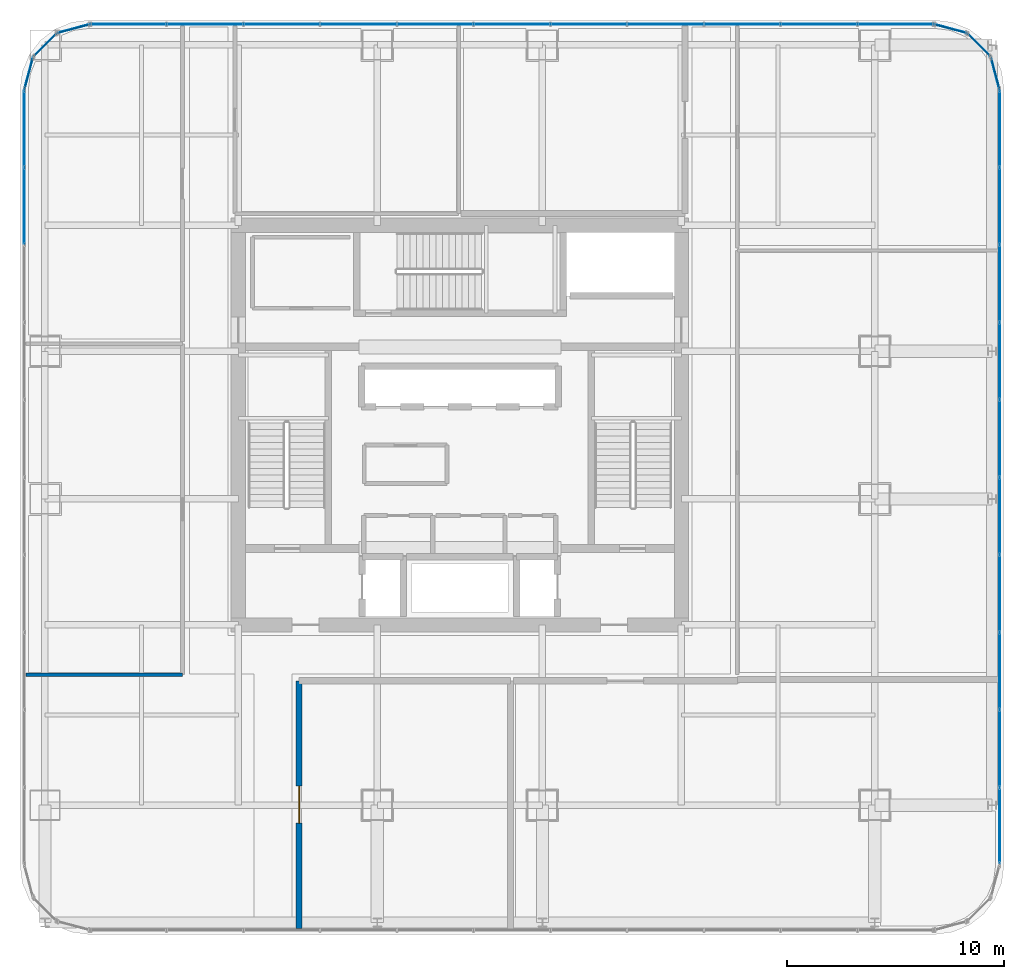
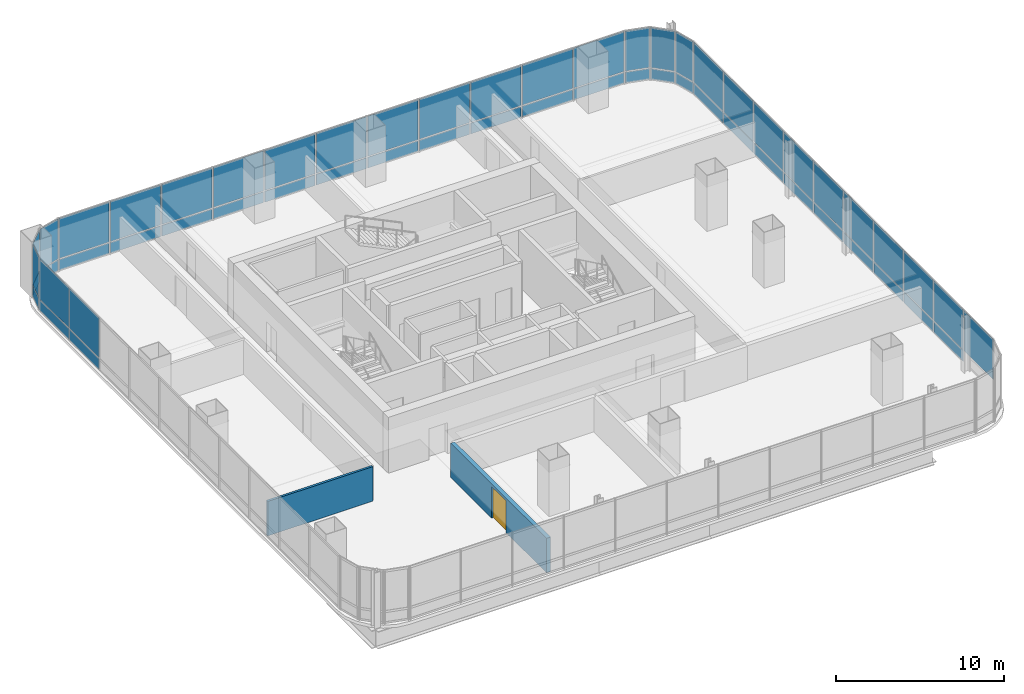
# One storey, part 28 of 35: 57 plates, 2 walls, 1 door, 1 opening, 9 elements without a shape of their own.
"""IFC4 building model written with IfcOpenShell, lengths in metres."""

from ifc_helpers import new_model, si_unit, direction, frame, frame_2d, origin, origin_2d, place, context, subcontext, project, spatial, rectangle, extrude, material, layer, layer_set, type_object, element, fill, aggregate, save


model = new_model("IFC4")

# Units and contexts
model_context = context("Model", 3, precision=1e-05, world=origin(), true_north=direction((0.0, 1.0)))
body_context = subcontext(model_context, "Body", "Model", "MODEL_VIEW")
ifc_project = project(units=[si_unit("LENGTHUNIT", "METRE"), si_unit("AREAUNIT", "SQUARE_METRE"), si_unit("VOLUMEUNIT", "CUBIC_METRE"), si_unit("PLANEANGLEUNIT", "RADIAN"), si_unit("MASSUNIT", "GRAM", prefix="KILO")], contexts=[model_context])

# Site, building, storey
site_placement = place(None, origin())
site = spatial("IfcSite", under=ifc_project, at=site_placement, CompositionType="ELEMENT")
building_placement = place(site_placement, origin())
building = spatial("IfcBuilding", under=site, at=building_placement, Name="Punatoya Terracotta Tower", CompositionType="ELEMENT")
storey_placement = place(building_placement, frame((0.0, 0.0, 216.75)))
storey = spatial("IfcBuildingStorey", under=building, at=storey_placement, Name="L51", CompositionType="ELEMENT", Elevation=216.75)

# Curtain wall, plates
ifc_material_1 = material(Name="Aluminium 6063-T6 + Double Low-E Glass", Category="aluminium")
curtain_wall_type = type_object("IfcCurtainWallType", Name="CW-M2", PredefinedType="NOTDEFINED", material=ifc_material_1)
curtain_wall_1_placement = place(storey_placement, origin())
curtain_wall_1 = element("IfcCurtainWall", 1, at=curtain_wall_1_placement, inside=storey, type_object=curtain_wall_type, Name="L51 Curtain Wall CW-L51-E05-1", PredefinedType="NOTDEFINED")
ifc_material_2 = material(Name="Double Low-E Acoustic Vision Glass", Category="glass")
ifc_layer_1 = layer(ifc_material_2, 0.031982421875)
ifc_layer_set_1 = layer_set([ifc_layer_1], Name="Double Low-E Acoustic Vision Glass")
plate_type_1 = type_object("IfcPlateType", Name="PLT-GLZ-32", PredefinedType="CURTAIN_PANEL", material=ifc_layer_set_1)
plate_1_placement = place(storey_placement, frame((24.85009765625, -18.453125, 0.89013671875), z_axis=(0.0, 0.0, 1.0), x_axis=(0.0, 1.0, 0.0)))
plate_1 = element("IfcPlate", 2, at=plate_1_placement, type_object=plate_type_1, Name="CW-L51-E05-1 Vision Glass Panel 1", PredefinedType="CURTAIN_PANEL", context=body_context, shape_type="SweptSolid", body=[
    extrude(rectangle(XDim=3.482421875, YDim=0.031982421875, at=origin_2d()), origin(), (0.0, 0.0, 1.0), 2.89990234375),
])
plate_2_placement = place(storey_placement, frame((24.85009765625, -14.8857421875, 0.89013671875), z_axis=(0.0, 0.0, 1.0), x_axis=(0.0, 1.0, 0.0)))
plate_2 = element("IfcPlate", 3, at=plate_2_placement, type_object=plate_type_1, Name="CW-L51-E05-1 Vision Glass Panel 2", PredefinedType="CURTAIN_PANEL", context=body_context, shape_type="SweptSolid", body=[
    extrude(rectangle(XDim=3.482421875, YDim=0.031982421875, at=origin_2d()), origin(), (0.0, 0.0, 1.0), 2.89990234375),
])
plate_3_placement = place(storey_placement, frame((24.85009765625, -11.318359375, 0.89013671875), z_axis=(0.0, 0.0, 1.0), x_axis=(0.0, 1.0, 0.0)))
plate_3 = element("IfcPlate", 4, at=plate_3_placement, type_object=plate_type_1, Name="CW-L51-E05-1 Vision Glass Panel 3", PredefinedType="CURTAIN_PANEL", context=body_context, shape_type="SweptSolid", body=[
    extrude(rectangle(XDim=3.482421875, YDim=0.031982421875, at=origin_2d()), origin(), (0.0, 0.0, 1.0), 2.89990234375),
])
plate_4_placement = place(storey_placement, frame((24.85009765625, -7.751220703125, 0.89013671875), z_axis=(0.0, 0.0, 1.0), x_axis=(0.0, 1.0, 0.0)))
plate_4 = element("IfcPlate", 5, at=plate_4_placement, type_object=plate_type_1, Name="CW-L51-E05-1 Vision Glass Panel 4", PredefinedType="CURTAIN_PANEL", context=body_context, shape_type="SweptSolid", body=[
    extrude(rectangle(XDim=3.482421875, YDim=0.031982421875, at=origin_2d()), origin(), (0.0, 0.0, 1.0), 2.89990234375),
])
plate_5_placement = place(storey_placement, frame((24.85009765625, -4.18359375, 0.89013671875), z_axis=(0.0, 0.0, 1.0), x_axis=(0.0, 1.0, 0.0)))
plate_5 = element("IfcPlate", 6, at=plate_5_placement, type_object=plate_type_1, Name="CW-L51-E05-1 Vision Glass Panel 5", PredefinedType="CURTAIN_PANEL", context=body_context, shape_type="SweptSolid", body=[
    extrude(rectangle(XDim=3.482421875, YDim=0.031982421875, at=origin_2d()), origin(), (0.0, 0.0, 1.0), 2.89990234375),
])
plate_6_placement = place(storey_placement, frame((24.85009765625, -0.6162109375, 0.89013671875), z_axis=(0.0, 0.0, 1.0), x_axis=(0.0, 1.0, 0.0)))
plate_6 = element("IfcPlate", 7, at=plate_6_placement, type_object=plate_type_1, Name="CW-L51-E05-1 Vision Glass Panel 6", PredefinedType="CURTAIN_PANEL", context=body_context, shape_type="SweptSolid", body=[
    extrude(rectangle(XDim=3.482421875, YDim=0.031982421875, at=origin_2d()), origin(), (0.0, 0.0, 1.0), 2.89990234375),
])
plate_7_placement = place(storey_placement, frame((24.85009765625, 2.951171875, 0.89013671875), z_axis=(0.0, 0.0, 1.0), x_axis=(0.0, 1.0, 0.0)))
plate_7 = element("IfcPlate", 8, at=plate_7_placement, type_object=plate_type_1, Name="CW-L51-E05-1 Vision Glass Panel 7", PredefinedType="CURTAIN_PANEL", context=body_context, shape_type="SweptSolid", body=[
    extrude(rectangle(XDim=3.482421875, YDim=0.031982421875, at=origin_2d()), origin(), (0.0, 0.0, 1.0), 2.89990234375),
])
plate_8_placement = place(storey_placement, frame((24.85009765625, 6.518310546875, 0.89013671875), z_axis=(0.0, 0.0, 1.0), x_axis=(0.0, 1.0, 0.0)))
plate_8 = element("IfcPlate", 9, at=plate_8_placement, type_object=plate_type_1, Name="CW-L51-E05-1 Vision Glass Panel 8", PredefinedType="CURTAIN_PANEL", context=body_context, shape_type="SweptSolid", body=[
    extrude(rectangle(XDim=3.482421875, YDim=0.031982421875, at=origin_2d()), origin(), (0.0, 0.0, 1.0), 2.89990234375),
])
plate_9_placement = place(storey_placement, frame((24.85009765625, 10.085693359375, 0.89013671875), z_axis=(0.0, 0.0, 1.0), x_axis=(0.0, 1.0, 0.0)))
plate_9 = element("IfcPlate", 10, at=plate_9_placement, type_object=plate_type_1, Name="CW-L51-E05-1 Vision Glass Panel 9", PredefinedType="CURTAIN_PANEL", context=body_context, shape_type="SweptSolid", body=[
    extrude(rectangle(XDim=3.482421875, YDim=0.031982421875, at=origin_2d()), origin(), (0.0, 0.0, 1.0), 2.89990234375),
])
plate_10_placement = place(storey_placement, frame((24.85009765625, 13.6533203125, 0.89013671875), z_axis=(0.0, 0.0, 1.0), x_axis=(0.0, 1.0, 0.0)))
plate_10 = element("IfcPlate", 11, at=plate_10_placement, type_object=plate_type_1, Name="CW-L51-E05-1 Vision Glass Panel 10", PredefinedType="CURTAIN_PANEL", context=body_context, shape_type="SweptSolid", body=[
    extrude(rectangle(XDim=3.482421875, YDim=0.031982421875, at=origin_2d()), origin(), (0.0, 0.0, 1.0), 2.89990234375),
])

# Curtain wall, plate
curtain_wall_2_placement = place(storey_placement, origin())
curtain_wall_2 = element("IfcCurtainWall", 12, at=curtain_wall_2_placement, inside=storey, type_object=curtain_wall_type, Name="L51 Curtain Wall CW-L51-CRN06", PredefinedType="NOTDEFINED")
plate_11_placement = place(storey_placement, frame((24.648193359375, 16.193115234375, 0.89013671875), z_axis=(0.0, 0.0, 1.0), x_axis=(-0.257741620719, 0.966213877436, 0.0)))
plate_11 = element("IfcPlate", 13, at=plate_11_placement, type_object=plate_type_1, Name="CW-L51-CRN06 Vision Glass Panel 1", PredefinedType="CURTAIN_PANEL", context=body_context, shape_type="SweptSolid", body=[
    extrude(rectangle(XDim=1.47998046875, YDim=0.031982421875, at=origin_2d()), origin(), (0.0, 0.0, 1.0), 2.89990234375),
])

curtain_wall_3_placement = place(storey_placement, origin())
curtain_wall_3 = element("IfcCurtainWall", 14, at=curtain_wall_3_placement, inside=storey, type_object=curtain_wall_type, Name="L51 Curtain Wall CW-L51-CRN07", PredefinedType="NOTDEFINED")
plate_12_placement = place(storey_placement, frame((23.89794921875, 17.497802734375, 0.89013671875), z_axis=(0.0, 0.0, 1.0), x_axis=(-0.707106781187, 0.707106781187, 0.0)))
plate_12 = element("IfcPlate", 15, at=plate_12_placement, type_object=plate_type_1, Name="CW-L51-CRN07 Vision Glass Panel 1", PredefinedType="CURTAIN_PANEL", context=body_context, shape_type="SweptSolid", body=[
    extrude(rectangle(XDim=1.467041015625, YDim=0.031982421875, at=origin_2d()), origin(), (0.0, 0.0, 1.0), 2.89990234375),
])

curtain_wall_4_placement = place(storey_placement, origin())
curtain_wall_4 = element("IfcCurtainWall", 16, at=curtain_wall_4_placement, inside=storey, type_object=curtain_wall_type, Name="L51 Curtain Wall CW-L51-CRN08", PredefinedType="NOTDEFINED")
plate_13_placement = place(storey_placement, frame((22.593017578125, 18.248291015625, 0.89013671875), z_axis=(0.0, 0.0, 1.0), x_axis=(-0.966213877436, 0.257741620719, 0.0)))
plate_13 = element("IfcPlate", 17, at=plate_13_placement, type_object=plate_type_1, Name="CW-L51-CRN08 Vision Glass Panel 1", PredefinedType="CURTAIN_PANEL", context=body_context, shape_type="SweptSolid", body=[
    extrude(rectangle(XDim=1.47998046875, YDim=0.031982421875, at=origin_2d()), origin(), (0.0, 0.0, 1.0), 2.89990234375),
])

# Curtain wall, plates
curtain_wall_5_placement = place(storey_placement, origin())
curtain_wall_5 = element("IfcCurtainWall", 18, at=curtain_wall_5_placement, inside=storey, type_object=curtain_wall_type, Name="L51 Curtain Wall CW-L51-N09-1", PredefinedType="NOTDEFINED")
plate_14_placement = place(storey_placement, frame((20.06982421875, 18.449951171875, 0.89013671875), z_axis=(0.0, 0.0, 1.0), x_axis=(-1.0, 0.0, 0.0)))
plate_14 = element("IfcPlate", 19, at=plate_14_placement, type_object=plate_type_1, Name="CW-L51-N09-1 Vision Glass Panel 1", PredefinedType="CURTAIN_PANEL", context=body_context, shape_type="SweptSolid", body=[
    extrude(rectangle(XDim=3.448974609375, YDim=0.031982421875, at=origin_2d()), origin(), (0.0, 0.0, 1.0), 2.89990234375),
])
plate_15_placement = place(storey_placement, frame((16.535888671875, 18.449951171875, 0.89013671875), z_axis=(0.0, 0.0, 1.0), x_axis=(-1.0, 0.0, 0.0)))
plate_15 = element("IfcPlate", 20, at=plate_15_placement, type_object=plate_type_1, Name="CW-L51-N09-1 Vision Glass Panel 2", PredefinedType="CURTAIN_PANEL", context=body_context, shape_type="SweptSolid", body=[
    extrude(rectangle(XDim=3.448974609375, YDim=0.031982421875, at=origin_2d()), origin(), (0.0, 0.0, 1.0), 2.89990234375),
])
plate_16_placement = place(storey_placement, frame((13.001953125, 18.449951171875, 0.89013671875), z_axis=(0.0, 0.0, 1.0), x_axis=(-1.0, 0.0, 0.0)))
plate_16 = element("IfcPlate", 21, at=plate_16_placement, type_object=plate_type_1, Name="CW-L51-N09-1 Vision Glass Panel 3", PredefinedType="CURTAIN_PANEL", context=body_context, shape_type="SweptSolid", body=[
    extrude(rectangle(XDim=3.448974609375, YDim=0.031982421875, at=origin_2d()), origin(), (0.0, 0.0, 1.0), 2.89990234375),
])
plate_17_placement = place(storey_placement, frame((9.468017578125, 18.449951171875, 0.89013671875), z_axis=(0.0, 0.0, 1.0), x_axis=(-1.0, 0.0, 0.0)))
plate_17 = element("IfcPlate", 22, at=plate_17_placement, type_object=plate_type_1, Name="CW-L51-N09-1 Vision Glass Panel 4", PredefinedType="CURTAIN_PANEL", context=body_context, shape_type="SweptSolid", body=[
    extrude(rectangle(XDim=3.448974609375, YDim=0.031982421875, at=origin_2d()), origin(), (0.0, 0.0, 1.0), 2.89990234375),
])
plate_18_placement = place(storey_placement, frame((5.93408203125, 18.449951171875, 0.89013671875), z_axis=(0.0, 0.0, 1.0), x_axis=(-1.0, 0.0, 0.0)))
plate_18 = element("IfcPlate", 23, at=plate_18_placement, type_object=plate_type_1, Name="CW-L51-N09-1 Vision Glass Panel 5", PredefinedType="CURTAIN_PANEL", context=body_context, shape_type="SweptSolid", body=[
    extrude(rectangle(XDim=3.448974609375, YDim=0.031982421875, at=origin_2d()), origin(), (0.0, 0.0, 1.0), 2.89990234375),
])
plate_19_placement = place(storey_placement, frame((2.39990234375, 18.449951171875, 0.89013671875), z_axis=(0.0, 0.0, 1.0), x_axis=(-1.0, 0.0, 0.0)))
plate_19 = element("IfcPlate", 24, at=plate_19_placement, type_object=plate_type_1, Name="CW-L51-N09-1 Vision Glass Panel 6", PredefinedType="CURTAIN_PANEL", context=body_context, shape_type="SweptSolid", body=[
    extrude(rectangle(XDim=3.448974609375, YDim=0.031982421875, at=origin_2d()), origin(), (0.0, 0.0, 1.0), 2.89990234375),
])
plate_20_placement = place(storey_placement, frame((-1.134033203125, 18.449951171875, 0.89013671875), z_axis=(0.0, 0.0, 1.0), x_axis=(-1.0, 0.0, 0.0)))
plate_20 = element("IfcPlate", 25, at=plate_20_placement, type_object=plate_type_1, Name="CW-L51-N09-1 Vision Glass Panel 7", PredefinedType="CURTAIN_PANEL", context=body_context, shape_type="SweptSolid", body=[
    extrude(rectangle(XDim=3.448974609375, YDim=0.031982421875, at=origin_2d()), origin(), (0.0, 0.0, 1.0), 2.89990234375),
])
plate_21_placement = place(storey_placement, frame((-4.66796875, 18.449951171875, 0.89013671875), z_axis=(0.0, 0.0, 1.0), x_axis=(-1.0, 0.0, 0.0)))
plate_21 = element("IfcPlate", 26, at=plate_21_placement, type_object=plate_type_1, Name="CW-L51-N09-1 Vision Glass Panel 8", PredefinedType="CURTAIN_PANEL", context=body_context, shape_type="SweptSolid", body=[
    extrude(rectangle(XDim=3.448974609375, YDim=0.031982421875, at=origin_2d()), origin(), (0.0, 0.0, 1.0), 2.89990234375),
])
plate_22_placement = place(storey_placement, frame((-8.201904296875, 18.449951171875, 0.89013671875), z_axis=(0.0, 0.0, 1.0), x_axis=(-1.0, 0.0, 0.0)))
plate_22 = element("IfcPlate", 27, at=plate_22_placement, type_object=plate_type_1, Name="CW-L51-N09-1 Vision Glass Panel 9", PredefinedType="CURTAIN_PANEL", context=body_context, shape_type="SweptSolid", body=[
    extrude(rectangle(XDim=3.448974609375, YDim=0.031982421875, at=origin_2d()), origin(), (0.0, 0.0, 1.0), 2.89990234375),
])
plate_23_placement = place(storey_placement, frame((-11.73583984375, 18.449951171875, 0.89013671875), z_axis=(0.0, 0.0, 1.0), x_axis=(-1.0, 0.0, 0.0)))
plate_23 = element("IfcPlate", 28, at=plate_23_placement, type_object=plate_type_1, Name="CW-L51-N09-1 Vision Glass Panel 10", PredefinedType="CURTAIN_PANEL", context=body_context, shape_type="SweptSolid", body=[
    extrude(rectangle(XDim=3.448974609375, YDim=0.031982421875, at=origin_2d()), origin(), (0.0, 0.0, 1.0), 2.89990234375),
])
plate_24_placement = place(storey_placement, frame((-15.27001953125, 18.449951171875, 0.89013671875), z_axis=(0.0, 0.0, 1.0), x_axis=(-1.0, 0.0, 0.0)))
plate_24 = element("IfcPlate", 29, at=plate_24_placement, type_object=plate_type_1, Name="CW-L51-N09-1 Vision Glass Panel 11", PredefinedType="CURTAIN_PANEL", context=body_context, shape_type="SweptSolid", body=[
    extrude(rectangle(XDim=3.448974609375, YDim=0.031982421875, at=origin_2d()), origin(), (0.0, 0.0, 1.0), 2.89990234375),
])

# Curtain wall, plate
curtain_wall_6_placement = place(storey_placement, origin())
curtain_wall_6 = element("IfcCurtainWall", 30, at=curtain_wall_6_placement, inside=storey, type_object=curtain_wall_type, Name="L51 Curtain Wall CW-L51-CRN10", PredefinedType="NOTDEFINED")
plate_25_placement = place(storey_placement, frame((-17.79296875, 18.248291015625, 0.89013671875), z_axis=(0.0, 0.0, 1.0), x_axis=(-0.966213877436, -0.257741620719, 0.0)))
plate_25 = element("IfcPlate", 31, at=plate_25_placement, type_object=plate_type_1, Name="CW-L51-CRN10 Vision Glass Panel 1", PredefinedType="CURTAIN_PANEL", context=body_context, shape_type="SweptSolid", body=[
    extrude(rectangle(XDim=1.47998046875, YDim=0.031982421875, at=origin_2d()), origin(), (0.0, 0.0, 1.0), 2.89990234375),
])

curtain_wall_7_placement = place(storey_placement, origin())
curtain_wall_7 = element("IfcCurtainWall", 32, at=curtain_wall_7_placement, inside=storey, type_object=curtain_wall_type, Name="L51 Curtain Wall CW-L51-CRN11", PredefinedType="NOTDEFINED")
plate_26_placement = place(storey_placement, frame((-19.097900390625, 17.497802734375, 0.89013671875), z_axis=(0.0, 0.0, 1.0), x_axis=(-0.707106781187, -0.707106781187, 0.0)))
plate_26 = element("IfcPlate", 33, at=plate_26_placement, type_object=plate_type_1, Name="CW-L51-CRN11 Vision Glass Panel 1", PredefinedType="CURTAIN_PANEL", context=body_context, shape_type="SweptSolid", body=[
    extrude(rectangle(XDim=1.467041015625, YDim=0.031982421875, at=origin_2d()), origin(), (0.0, 0.0, 1.0), 2.89990234375),
])

curtain_wall_8_placement = place(storey_placement, origin())
curtain_wall_8 = element("IfcCurtainWall", 34, at=curtain_wall_8_placement, inside=storey, type_object=curtain_wall_type, Name="L51 Curtain Wall CW-L51-CRN12", PredefinedType="NOTDEFINED")
plate_27_placement = place(storey_placement, frame((-19.848388671875, 16.193115234375, 0.89013671875), z_axis=(0.0, 0.0, 1.0), x_axis=(-0.257741620719, -0.966213877436, 0.0)))
plate_27 = element("IfcPlate", 35, at=plate_27_placement, type_object=plate_type_1, Name="CW-L51-CRN12 Vision Glass Panel 1", PredefinedType="CURTAIN_PANEL", context=body_context, shape_type="SweptSolid", body=[
    extrude(rectangle(XDim=1.47998046875, YDim=0.031982421875, at=origin_2d()), origin(), (0.0, 0.0, 1.0), 2.89990234375),
])

# Curtain wall, plates
curtain_wall_9_placement = place(storey_placement, origin())
curtain_wall_9 = element("IfcCurtainWall", 36, at=curtain_wall_9_placement, inside=storey, type_object=curtain_wall_type, Name="L51 Curtain Wall CW-L51-W13-1", PredefinedType="NOTDEFINED")
plate_28_placement = place(storey_placement, frame((-20.050048828125, 13.6533203125, 0.89013671875), z_axis=(0.0, 0.0, 1.0), x_axis=(0.0, -1.0, 0.0)))
plate_28 = element("IfcPlate", 37, at=plate_28_placement, type_object=plate_type_1, Name="CW-L51-W13-1 Vision Glass Panel 1", PredefinedType="CURTAIN_PANEL", context=body_context, shape_type="SweptSolid", body=[
    extrude(rectangle(XDim=3.482421875, YDim=0.031982421875, at=origin_2d()), origin(), (0.0, 0.0, 1.0), 2.89990234375),
])
plate_29_placement = place(storey_placement, frame((-20.050048828125, 10.085693359375, 0.89013671875), z_axis=(0.0, 0.0, 1.0), x_axis=(0.0, -1.0, 0.0)))
plate_29 = element("IfcPlate", 38, at=plate_29_placement, type_object=plate_type_1, Name="CW-L51-W13-1 Vision Glass Panel 2", PredefinedType="CURTAIN_PANEL", context=body_context, shape_type="SweptSolid", body=[
    extrude(rectangle(XDim=3.482421875, YDim=0.031982421875, at=origin_2d()), origin(), (0.0, 0.0, 1.0), 2.89990234375),
])

# Plate
ifc_material_3 = material(Name="Insulated Terracotta-Backed Spandrel Panel", Category="masonry")
ifc_layer_2 = layer(ifc_material_3, 0.044921875)
ifc_layer_set_2 = layer_set([ifc_layer_2], Name="Insulated Terracotta-Backed Spandrel Panel")
plate_type_2 = type_object("IfcPlateType", Name="PLT-SPN-45", PredefinedType="CURTAIN_PANEL", material=ifc_layer_set_2)
plate_30_placement = place(storey_placement, frame((24.85009765625, -14.8857421875, 0.0400390625), z_axis=(0.0, 0.0, 1.0), x_axis=(0.0, 1.0, 0.0)))
plate_30 = element("IfcPlate", 39, at=plate_30_placement, type_object=plate_type_2, Name="CW-L51-E05-1 Terracotta Spandrel Panel 2", PredefinedType="CURTAIN_PANEL", context=body_context, shape_type="SweptSolid", body=[
    extrude(rectangle(XDim=3.482421875, YDim=0.044921875, at=origin_2d()), origin(), (0.0, 0.0, 1.0), 0.77490234375),
])

plate_31_placement = place(storey_placement, frame((24.85009765625, -11.318359375, 0.0400390625), z_axis=(0.0, 0.0, 1.0), x_axis=(0.0, 1.0, 0.0)))
plate_31 = element("IfcPlate", 40, at=plate_31_placement, type_object=plate_type_2, Name="CW-L51-E05-1 Terracotta Spandrel Panel 3", PredefinedType="CURTAIN_PANEL", context=body_context, shape_type="SweptSolid", body=[
    extrude(rectangle(XDim=3.482421875, YDim=0.044921875, at=origin_2d()), origin(), (0.0, 0.0, 1.0), 0.77490234375),
])

plate_32_placement = place(storey_placement, frame((24.85009765625, -7.751220703125, 0.0400390625), z_axis=(0.0, 0.0, 1.0), x_axis=(0.0, 1.0, 0.0)))
plate_32 = element("IfcPlate", 41, at=plate_32_placement, type_object=plate_type_2, Name="CW-L51-E05-1 Terracotta Spandrel Panel 4", PredefinedType="CURTAIN_PANEL", context=body_context, shape_type="SweptSolid", body=[
    extrude(rectangle(XDim=3.482421875, YDim=0.044921875, at=origin_2d()), origin(), (0.0, 0.0, 1.0), 0.77490234375),
])

plate_33_placement = place(storey_placement, frame((24.85009765625, -4.18359375, 0.0400390625), z_axis=(0.0, 0.0, 1.0), x_axis=(0.0, 1.0, 0.0)))
plate_33 = element("IfcPlate", 42, at=plate_33_placement, type_object=plate_type_2, Name="CW-L51-E05-1 Terracotta Spandrel Panel 5", PredefinedType="CURTAIN_PANEL", context=body_context, shape_type="SweptSolid", body=[
    extrude(rectangle(XDim=3.482421875, YDim=0.044921875, at=origin_2d()), origin(), (0.0, 0.0, 1.0), 0.77490234375),
])

plate_34_placement = place(storey_placement, frame((24.85009765625, -0.6162109375, 0.0400390625), z_axis=(0.0, 0.0, 1.0), x_axis=(0.0, 1.0, 0.0)))
plate_34 = element("IfcPlate", 43, at=plate_34_placement, type_object=plate_type_2, Name="CW-L51-E05-1 Terracotta Spandrel Panel 6", PredefinedType="CURTAIN_PANEL", context=body_context, shape_type="SweptSolid", body=[
    extrude(rectangle(XDim=3.482421875, YDim=0.044921875, at=origin_2d()), origin(), (0.0, 0.0, 1.0), 0.77490234375),
])

plate_35_placement = place(storey_placement, frame((24.85009765625, 2.951171875, 0.0400390625), z_axis=(0.0, 0.0, 1.0), x_axis=(0.0, 1.0, 0.0)))
plate_35 = element("IfcPlate", 44, at=plate_35_placement, type_object=plate_type_2, Name="CW-L51-E05-1 Terracotta Spandrel Panel 7", PredefinedType="CURTAIN_PANEL", context=body_context, shape_type="SweptSolid", body=[
    extrude(rectangle(XDim=3.482421875, YDim=0.044921875, at=origin_2d()), origin(), (0.0, 0.0, 1.0), 0.77490234375),
])

plate_36_placement = place(storey_placement, frame((24.85009765625, 6.518310546875, 0.0400390625), z_axis=(0.0, 0.0, 1.0), x_axis=(0.0, 1.0, 0.0)))
plate_36 = element("IfcPlate", 45, at=plate_36_placement, type_object=plate_type_2, Name="CW-L51-E05-1 Terracotta Spandrel Panel 8", PredefinedType="CURTAIN_PANEL", context=body_context, shape_type="SweptSolid", body=[
    extrude(rectangle(XDim=3.482421875, YDim=0.044921875, at=origin_2d()), origin(), (0.0, 0.0, 1.0), 0.77490234375),
])

plate_37_placement = place(storey_placement, frame((24.85009765625, 10.085693359375, 0.0400390625), z_axis=(0.0, 0.0, 1.0), x_axis=(0.0, 1.0, 0.0)))
plate_37 = element("IfcPlate", 46, at=plate_37_placement, type_object=plate_type_2, Name="CW-L51-E05-1 Terracotta Spandrel Panel 9", PredefinedType="CURTAIN_PANEL", context=body_context, shape_type="SweptSolid", body=[
    extrude(rectangle(XDim=3.482421875, YDim=0.044921875, at=origin_2d()), origin(), (0.0, 0.0, 1.0), 0.77490234375),
])

plate_38_placement = place(storey_placement, frame((24.85009765625, 13.6533203125, 0.0400390625), z_axis=(0.0, 0.0, 1.0), x_axis=(0.0, 1.0, 0.0)))
plate_38 = element("IfcPlate", 47, at=plate_38_placement, type_object=plate_type_2, Name="CW-L51-E05-1 Terracotta Spandrel Panel 10", PredefinedType="CURTAIN_PANEL", context=body_context, shape_type="SweptSolid", body=[
    extrude(rectangle(XDim=3.482421875, YDim=0.044921875, at=origin_2d()), origin(), (0.0, 0.0, 1.0), 0.77490234375),
])

aggregate(curtain_wall_1, [plate_1, plate_30, plate_2, plate_31, plate_3, plate_32, plate_4, plate_33, plate_5, plate_34, plate_6, plate_35, plate_7, plate_36, plate_8, plate_37, plate_9, plate_38, plate_10])

plate_39_placement = place(storey_placement, frame((24.648193359375, 16.193115234375, 0.0400390625), z_axis=(0.0, 0.0, 1.0), x_axis=(-0.257741620719, 0.966213877436, 0.0)))
plate_39 = element("IfcPlate", 48, at=plate_39_placement, type_object=plate_type_2, Name="CW-L51-CRN06 Terracotta Spandrel Panel 1", PredefinedType="CURTAIN_PANEL", context=body_context, shape_type="SweptSolid", body=[
    extrude(rectangle(XDim=1.47998046875, YDim=0.044921875, at=origin_2d()), origin(), (0.0, 0.0, 1.0), 0.77490234375),
])

aggregate(curtain_wall_2, [plate_39, plate_11])

plate_40_placement = place(storey_placement, frame((23.89794921875, 17.497802734375, 0.0400390625), z_axis=(0.0, 0.0, 1.0), x_axis=(-0.707106781187, 0.707106781187, 0.0)))
plate_40 = element("IfcPlate", 49, at=plate_40_placement, type_object=plate_type_2, Name="CW-L51-CRN07 Terracotta Spandrel Panel 1", PredefinedType="CURTAIN_PANEL", context=body_context, shape_type="SweptSolid", body=[
    extrude(rectangle(XDim=1.467041015625, YDim=0.044921875, at=origin_2d()), origin(), (0.0, 0.0, 1.0), 0.77490234375),
])

aggregate(curtain_wall_3, [plate_40, plate_12])

plate_41_placement = place(storey_placement, frame((22.593017578125, 18.248291015625, 0.0400390625), z_axis=(0.0, 0.0, 1.0), x_axis=(-0.966213877436, 0.257741620719, 0.0)))
plate_41 = element("IfcPlate", 50, at=plate_41_placement, type_object=plate_type_2, Name="CW-L51-CRN08 Terracotta Spandrel Panel 1", PredefinedType="CURTAIN_PANEL", context=body_context, shape_type="SweptSolid", body=[
    extrude(rectangle(XDim=1.47998046875, YDim=0.044921875, at=origin_2d()), origin(), (0.0, 0.0, 1.0), 0.77490234375),
])

aggregate(curtain_wall_4, [plate_41, plate_13])

plate_42_placement = place(storey_placement, frame((20.06982421875, 18.449951171875, 0.0400390625), z_axis=(0.0, 0.0, 1.0), x_axis=(-1.0, 0.0, 0.0)))
plate_42 = element("IfcPlate", 51, at=plate_42_placement, type_object=plate_type_2, Name="CW-L51-N09-1 Terracotta Spandrel Panel 1", PredefinedType="CURTAIN_PANEL", context=body_context, shape_type="SweptSolid", body=[
    extrude(rectangle(XDim=3.448974609375, YDim=0.044921875, at=origin_2d()), origin(), (0.0, 0.0, 1.0), 0.77490234375),
])

plate_43_placement = place(storey_placement, frame((16.535888671875, 18.449951171875, 0.0400390625), z_axis=(0.0, 0.0, 1.0), x_axis=(-1.0, 0.0, 0.0)))
plate_43 = element("IfcPlate", 52, at=plate_43_placement, type_object=plate_type_2, Name="CW-L51-N09-1 Terracotta Spandrel Panel 2", PredefinedType="CURTAIN_PANEL", context=body_context, shape_type="SweptSolid", body=[
    extrude(rectangle(XDim=3.448974609375, YDim=0.044921875, at=origin_2d()), origin(), (0.0, 0.0, 1.0), 0.77490234375),
])

plate_44_placement = place(storey_placement, frame((13.001953125, 18.449951171875, 0.0400390625), z_axis=(0.0, 0.0, 1.0), x_axis=(-1.0, 0.0, 0.0)))
plate_44 = element("IfcPlate", 53, at=plate_44_placement, type_object=plate_type_2, Name="CW-L51-N09-1 Terracotta Spandrel Panel 3", PredefinedType="CURTAIN_PANEL", context=body_context, shape_type="SweptSolid", body=[
    extrude(rectangle(XDim=3.448974609375, YDim=0.044921875, at=origin_2d()), origin(), (0.0, 0.0, 1.0), 0.77490234375),
])

plate_45_placement = place(storey_placement, frame((9.468017578125, 18.449951171875, 0.0400390625), z_axis=(0.0, 0.0, 1.0), x_axis=(-1.0, 0.0, 0.0)))
plate_45 = element("IfcPlate", 54, at=plate_45_placement, type_object=plate_type_2, Name="CW-L51-N09-1 Terracotta Spandrel Panel 4", PredefinedType="CURTAIN_PANEL", context=body_context, shape_type="SweptSolid", body=[
    extrude(rectangle(XDim=3.448974609375, YDim=0.044921875, at=origin_2d()), origin(), (0.0, 0.0, 1.0), 0.77490234375),
])

plate_46_placement = place(storey_placement, frame((5.93408203125, 18.449951171875, 0.0400390625), z_axis=(0.0, 0.0, 1.0), x_axis=(-1.0, 0.0, 0.0)))
plate_46 = element("IfcPlate", 55, at=plate_46_placement, type_object=plate_type_2, Name="CW-L51-N09-1 Terracotta Spandrel Panel 5", PredefinedType="CURTAIN_PANEL", context=body_context, shape_type="SweptSolid", body=[
    extrude(rectangle(XDim=3.448974609375, YDim=0.044921875, at=origin_2d()), origin(), (0.0, 0.0, 1.0), 0.77490234375),
])

plate_47_placement = place(storey_placement, frame((2.39990234375, 18.449951171875, 0.0400390625), z_axis=(0.0, 0.0, 1.0), x_axis=(-1.0, 0.0, 0.0)))
plate_47 = element("IfcPlate", 56, at=plate_47_placement, type_object=plate_type_2, Name="CW-L51-N09-1 Terracotta Spandrel Panel 6", PredefinedType="CURTAIN_PANEL", context=body_context, shape_type="SweptSolid", body=[
    extrude(rectangle(XDim=3.448974609375, YDim=0.044921875, at=origin_2d()), origin(), (0.0, 0.0, 1.0), 0.77490234375),
])

plate_48_placement = place(storey_placement, frame((-1.134033203125, 18.449951171875, 0.0400390625), z_axis=(0.0, 0.0, 1.0), x_axis=(-1.0, 0.0, 0.0)))
plate_48 = element("IfcPlate", 57, at=plate_48_placement, type_object=plate_type_2, Name="CW-L51-N09-1 Terracotta Spandrel Panel 7", PredefinedType="CURTAIN_PANEL", context=body_context, shape_type="SweptSolid", body=[
    extrude(rectangle(XDim=3.448974609375, YDim=0.044921875, at=origin_2d()), origin(), (0.0, 0.0, 1.0), 0.77490234375),
])

plate_49_placement = place(storey_placement, frame((-4.66796875, 18.449951171875, 0.0400390625), z_axis=(0.0, 0.0, 1.0), x_axis=(-1.0, 0.0, 0.0)))
plate_49 = element("IfcPlate", 58, at=plate_49_placement, type_object=plate_type_2, Name="CW-L51-N09-1 Terracotta Spandrel Panel 8", PredefinedType="CURTAIN_PANEL", context=body_context, shape_type="SweptSolid", body=[
    extrude(rectangle(XDim=3.448974609375, YDim=0.044921875, at=origin_2d()), origin(), (0.0, 0.0, 1.0), 0.77490234375),
])

plate_50_placement = place(storey_placement, frame((-8.201904296875, 18.449951171875, 0.0400390625), z_axis=(0.0, 0.0, 1.0), x_axis=(-1.0, 0.0, 0.0)))
plate_50 = element("IfcPlate", 59, at=plate_50_placement, type_object=plate_type_2, Name="CW-L51-N09-1 Terracotta Spandrel Panel 9", PredefinedType="CURTAIN_PANEL", context=body_context, shape_type="SweptSolid", body=[
    extrude(rectangle(XDim=3.448974609375, YDim=0.044921875, at=origin_2d()), origin(), (0.0, 0.0, 1.0), 0.77490234375),
])

plate_51_placement = place(storey_placement, frame((-11.73583984375, 18.449951171875, 0.0400390625), z_axis=(0.0, 0.0, 1.0), x_axis=(-1.0, 0.0, 0.0)))
plate_51 = element("IfcPlate", 60, at=plate_51_placement, type_object=plate_type_2, Name="CW-L51-N09-1 Terracotta Spandrel Panel 10", PredefinedType="CURTAIN_PANEL", context=body_context, shape_type="SweptSolid", body=[
    extrude(rectangle(XDim=3.448974609375, YDim=0.044921875, at=origin_2d()), origin(), (0.0, 0.0, 1.0), 0.77490234375),
])

plate_52_placement = place(storey_placement, frame((-15.27001953125, 18.449951171875, 0.0400390625), z_axis=(0.0, 0.0, 1.0), x_axis=(-1.0, 0.0, 0.0)))
plate_52 = element("IfcPlate", 61, at=plate_52_placement, type_object=plate_type_2, Name="CW-L51-N09-1 Terracotta Spandrel Panel 11", PredefinedType="CURTAIN_PANEL", context=body_context, shape_type="SweptSolid", body=[
    extrude(rectangle(XDim=3.448974609375, YDim=0.044921875, at=origin_2d()), origin(), (0.0, 0.0, 1.0), 0.77490234375),
])

aggregate(curtain_wall_5, [plate_42, plate_14, plate_43, plate_15, plate_44, plate_16, plate_45, plate_17, plate_46, plate_18, plate_47, plate_19, plate_48, plate_20, plate_49, plate_21, plate_50, plate_22, plate_51, plate_23, plate_52, plate_24])

plate_53_placement = place(storey_placement, frame((-17.79296875, 18.248291015625, 0.0400390625), z_axis=(0.0, 0.0, 1.0), x_axis=(-0.966213877436, -0.257741620719, 0.0)))
plate_53 = element("IfcPlate", 62, at=plate_53_placement, type_object=plate_type_2, Name="CW-L51-CRN10 Terracotta Spandrel Panel 1", PredefinedType="CURTAIN_PANEL", context=body_context, shape_type="SweptSolid", body=[
    extrude(rectangle(XDim=1.47998046875, YDim=0.044921875, at=origin_2d()), origin(), (0.0, 0.0, 1.0), 0.77490234375),
])

aggregate(curtain_wall_6, [plate_53, plate_25])

plate_54_placement = place(storey_placement, frame((-19.097900390625, 17.497802734375, 0.0400390625), z_axis=(0.0, 0.0, 1.0), x_axis=(-0.707106781187, -0.707106781187, 0.0)))
plate_54 = element("IfcPlate", 63, at=plate_54_placement, type_object=plate_type_2, Name="CW-L51-CRN11 Terracotta Spandrel Panel 1", PredefinedType="CURTAIN_PANEL", context=body_context, shape_type="SweptSolid", body=[
    extrude(rectangle(XDim=1.467041015625, YDim=0.044921875, at=origin_2d()), origin(), (0.0, 0.0, 1.0), 0.77490234375),
])

aggregate(curtain_wall_7, [plate_54, plate_26])

plate_55_placement = place(storey_placement, frame((-19.848388671875, 16.193115234375, 0.0400390625), z_axis=(0.0, 0.0, 1.0), x_axis=(-0.257741620719, -0.966213877436, 0.0)))
plate_55 = element("IfcPlate", 64, at=plate_55_placement, type_object=plate_type_2, Name="CW-L51-CRN12 Terracotta Spandrel Panel 1", PredefinedType="CURTAIN_PANEL", context=body_context, shape_type="SweptSolid", body=[
    extrude(rectangle(XDim=1.47998046875, YDim=0.044921875, at=origin_2d()), origin(), (0.0, 0.0, 1.0), 0.77490234375),
])

aggregate(curtain_wall_8, [plate_55, plate_27])

plate_56_placement = place(storey_placement, frame((-20.050048828125, 13.6533203125, 0.0400390625), z_axis=(0.0, 0.0, 1.0), x_axis=(0.0, -1.0, 0.0)))
plate_56 = element("IfcPlate", 65, at=plate_56_placement, type_object=plate_type_2, Name="CW-L51-W13-1 Terracotta Spandrel Panel 1", PredefinedType="CURTAIN_PANEL", context=body_context, shape_type="SweptSolid", body=[
    extrude(rectangle(XDim=3.482421875, YDim=0.044921875, at=origin_2d()), origin(), (0.0, 0.0, 1.0), 0.77490234375),
])

plate_57_placement = place(storey_placement, frame((-20.050048828125, 10.085693359375, 0.0400390625), z_axis=(0.0, 0.0, 1.0), x_axis=(0.0, -1.0, 0.0)))
plate_57 = element("IfcPlate", 66, at=plate_57_placement, type_object=plate_type_2, Name="CW-L51-W13-1 Terracotta Spandrel Panel 2", PredefinedType="CURTAIN_PANEL", context=body_context, shape_type="SweptSolid", body=[
    extrude(rectangle(XDim=3.482421875, YDim=0.044921875, at=origin_2d()), origin(), (0.0, 0.0, 1.0), 0.77490234375),
])

aggregate(curtain_wall_9, [plate_56, plate_28, plate_57, plate_29])

# Wall, opening, door
ifc_material_4 = material(Name="Concrete C40/50", Category="concrete")
ifc_layer_3 = layer(ifc_material_4, 0.280029296875)
ifc_layer_set_3 = layer_set([ifc_layer_3], Name="Concrete C40/50")
wall_type_1 = type_object("IfcWallType", Name="WL-AUD-280", PredefinedType="SOLIDWALL", material=ifc_layer_set_3)
wall_1_placement = place(storey_placement, frame((-7.39990234375, -23.169921875, 0.0), z_axis=(0.0, 0.0, 1.0), x_axis=(0.0, 1.0, 0.0)))
wall_1 = element("IfcWall", 67, at=wall_1_placement, inside=storey, type_object=wall_type_1, Name="L51 Open-Plan Client Dining Salon Partition 15", PredefinedType="SOLIDWALL", context=body_context, shape_type="SweptSolid", body=[
    extrude(rectangle(XDim=11.39990234375, YDim=0.280029296875, at=frame_2d((5.699951171875, 0.0))), origin(), (0.0, 0.0, 1.0), 2.50390625),
])
opening_placement = place(wall_1_placement, frame((4.85009765625, 0.0, 0.0)))
opening = element("IfcOpeningElement", 68, at=opening_placement, cuts=wall_1, Name="Opening FD-D1", PredefinedType="OPENING", context=body_context, shape_type="SweptSolid", body=[
    extrude(rectangle(XDim=1.699951171875, YDim=2.300048828125, at=frame_2d((0.85009765625, 1.14990234375))), frame((0.0, 0.14990234375, 0.0), z_axis=(0.0, -1.0, 0.0), x_axis=(1.0, 0.0, 0.0)), (0.0, 0.0, 1.0), 0.300048828125),
])
ifc_material_5 = material(Name="Timber Teak Veneer Fire Leaf", Category="wood")
door_type = type_object("IfcDoorType", Name="DR-DIN-1700", OperationType="NOTDEFINED", PredefinedType="DOOR", material=ifc_material_5)
door_placement = place(opening_placement, origin())
door = element("IfcDoor", 69, at=door_placement, inside=storey, type_object=door_type, Name="L51 Open-Plan Client Dining Salon Fire Door", OperationType="DOUBLE_DOOR_SINGLE_SWING", OverallHeight=2.300048828125, OverallWidth=1.699951171875, PredefinedType="DOOR", context=body_context, shape_type="SweptSolid", body=[
    extrude(rectangle(XDim=1.699951171875, YDim=2.300048828125, at=frame_2d((0.85009765625, 1.14990234375))), frame((0.0, 0.02490234375, 0.0), z_axis=(0.0, -1.0, 0.0), x_axis=(1.0, 0.0, 0.0)), (0.0, 0.0, 1.0), 0.050048828125),
])
fill(opening, door)

# Wall
ifc_material_6 = material(Name="Masonry Blockwork + Ceramic Tile", Category="masonry")
ifc_layer_4 = layer(ifc_material_6, 0.159912109375)
ifc_layer_set_4 = layer_set([ifc_layer_4], Name="Masonry Blockwork + Ceramic Tile")
wall_type_2 = type_object("IfcWallType", Name="WL-WET-160", PredefinedType="PARTITIONING", material=ifc_layer_set_4)
wall_2_placement = place(storey_placement, frame((-12.77001953125, -11.489990234375, 0.0), z_axis=(0.0, 0.0, 1.0), x_axis=(-1.0, 0.0, 0.0)))
element("IfcWall", 70, at=wall_2_placement, inside=storey, type_object=wall_type_2, Name="L51 Open-Plan Catering Tea Pantry Partition 22", PredefinedType="PARTITIONING", context=body_context, shape_type="SweptSolid", body=[
    extrude(rectangle(XDim=7.199951171875, YDim=0.159912109375, at=frame_2d((3.60009765625, 0.0))), origin(), (0.0, 0.0, 1.0), 2.50390625),
])

save(model, "model.ifc")
